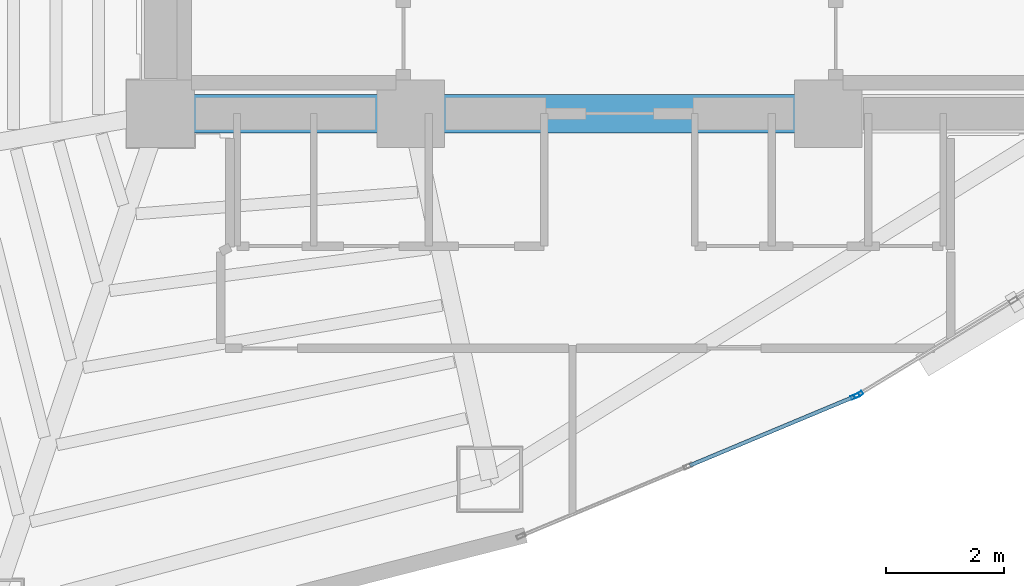
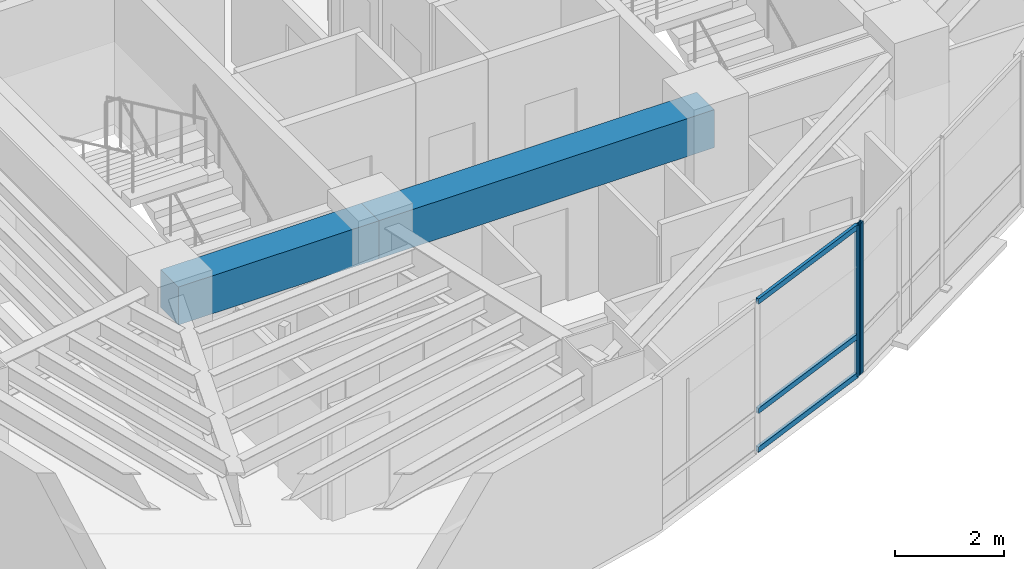
# One storey, part 4 of 15: 5 members, 2 beams, 2 elements without a shape of their own.
"""IFC4 building model written with IfcOpenShell, lengths in metres."""

from ifc_helpers import new_model, si_unit, direction, frame, origin, origin_2d, place, context, subcontext, project, spatial, rectangle, hollow_rectangle, extrude, material, layer, layer_set, material_profile, profile_set, type_object, element, aggregate, save


model = new_model("IFC4")

# Units and contexts
model_context = context("Model", 3, precision=1e-05, world=origin(), true_north=direction((0.0, 1.0)))
body_context = subcontext(model_context, "Body", "Model", "MODEL_VIEW")
ifc_project = project(units=[si_unit("LENGTHUNIT", "METRE"), si_unit("AREAUNIT", "SQUARE_METRE"), si_unit("VOLUMEUNIT", "CUBIC_METRE"), si_unit("PLANEANGLEUNIT", "RADIAN"), si_unit("MASSUNIT", "GRAM", prefix="KILO")], contexts=[model_context])

# Site, building, storey
site_placement = place(None, origin())
site = spatial("IfcSite", under=ifc_project, at=site_placement, CompositionType="ELEMENT")
building_placement = place(site_placement, origin())
building = spatial("IfcBuilding", under=site, at=building_placement, Name="Menara Vayukalpa", CompositionType="ELEMENT")
storey_placement = place(building_placement, frame((0.0, 0.0, 144.89990234375)))
storey = spatial("IfcBuildingStorey", under=building, at=storey_placement, Name="L36", CompositionType="ELEMENT", Elevation=144.89990234375)

# Beams
ifc_material_1 = material(Name="Concrete C60/75", Category="concrete")
ifc_material_profile_1 = material_profile(ifc_material_1, rectangle(XDim=0.64990234375, YDim=0.85009765625, at=origin_2d()), Name="RC 650x850")
ifc_profile_set_1 = profile_set([ifc_material_profile_1], Name="Concrete C60/75")
beam_type = type_object("IfcBeamType", Name="BM-CB1", PredefinedType="BEAM", material=ifc_profile_set_1)
beam_1_placement = place(storey_placement, frame((17.800048828125, 17.199951171875, 2.955078125), z_axis=(1.0, 0.0, 0.0), x_axis=(0.0, 1.0, 0.0)))
element("IfcBeam", 1, at=beam_1_placement, inside=storey, type_object=beam_type, Name="L36 Core Tie Beam CBR1", PredefinedType="BEAM", context=body_context, shape_type="SweptSolid", body=[
    extrude(rectangle(XDim=0.64990234375, YDim=0.85009765625, at=origin_2d()), origin(), (0.0, 0.0, 1.0), 4.25),
])
beam_2_placement = place(storey_placement, frame((22.050048828125, 17.199951171875, 2.955078125), z_axis=(1.0, 0.0, 0.0), x_axis=(0.0, 1.0, 0.0)))
element("IfcBeam", 2, at=beam_2_placement, inside=storey, type_object=beam_type, Name="L36 Core Tie Beam CBR2", PredefinedType="BEAM", context=body_context, shape_type="SweptSolid", body=[
    extrude(rectangle(XDim=0.64990234375, YDim=0.85009765625, at=origin_2d()), origin(), (0.0, 0.0, 1.0), 7.099853515625),
])

# Curtain wall, member
ifc_material_2 = material(Name="Anodised Terracotta Aluminium Alloy 6063-T6", Category="masonry")
ifc_layer = layer(ifc_material_2, 0.14990234375)
ifc_layer_set = layer_set([ifc_layer], Name="Anodised Terracotta Aluminium Alloy 6063-T6")
curtain_wall_type = type_object("IfcCurtainWallType", Name="CW-CW3", PredefinedType="USERDEFINED", material=ifc_layer_set)
curtain_wall_1_placement = place(storey_placement, origin())
curtain_wall_1 = element("IfcCurtainWall", 3, at=curtain_wall_1_placement, inside=storey, type_object=curtain_wall_type, Name="L36 Mid Rise Terracotta Ribbon Curtain Wall CW3 16", ObjectType="UNITISED", PredefinedType="USERDEFINED")
ifc_material_3 = material(Name="Anodised Terracotta Aluminium Alloy 6063-T6", Category="masonry")
ifc_material_profile_2 = material_profile(ifc_material_3, hollow_rectangle(XDim=0.06494140625, YDim=0.14990234375, WallThickness=0.00341796875, at=origin_2d()), Name="ALU 65x150x3.5")
ifc_profile_set_2 = profile_set([ifc_material_profile_2], Name="Anodised Terracotta Aluminium Alloy 6063-T6")
member_type_1 = type_object("IfcMemberType", Name="CWM-CW3", PredefinedType="MULLION", material=ifc_profile_set_2)
member_1_placement = place(storey_placement, frame((29.606689453125, 12.396484375, 0.0), z_axis=(0.0, 0.0, 1.0), x_axis=(-0.385886210456, 0.922546385056, 0.0)))
member_1 = element("IfcMember", 4, at=member_1_placement, type_object=member_type_1, Name="CW3 mullion 3", PredefinedType="MULLION", context=body_context, shape_type="SweptSolid", body=[
    extrude(hollow_rectangle(XDim=0.06494140625, YDim=0.14990234375, WallThickness=0.00341796875, at=origin_2d()), origin(), (0.0, 0.0, 1.0), 3.380126953125),
])

curtain_wall_2_placement = place(storey_placement, origin())
curtain_wall_2 = element("IfcCurtainWall", 5, at=curtain_wall_2_placement, inside=storey, type_object=curtain_wall_type, Name="L36 Mid Rise Terracotta Ribbon Curtain Wall CW3 17", ObjectType="UNITISED", PredefinedType="USERDEFINED")
member_2_placement = place(storey_placement, frame((29.66455078125, 12.42578125, 0.0), z_axis=(0.0, 0.0, 1.0), x_axis=(-0.519195768176, 0.854655342409, 0.0)))
member_2 = element("IfcMember", 6, at=member_2_placement, type_object=member_type_1, Name="CW3 mullion 1", PredefinedType="MULLION", context=body_context, shape_type="SweptSolid", body=[
    extrude(hollow_rectangle(XDim=0.06494140625, YDim=0.14990234375, WallThickness=0.00341796875, at=origin_2d()), origin(), (0.0, 0.0, 1.0), 3.380126953125),
])
aggregate(curtain_wall_2, [member_2])

# Member
ifc_material_4 = material(Name="Anodised Terracotta Aluminium Alloy 6063-T6", Category="masonry")
ifc_material_profile_3 = material_profile(ifc_material_4, hollow_rectangle(XDim=0.06494140625, YDim=0.1201171875, WallThickness=0.00341796875, at=origin_2d()), Name="ALU 65x120x3.5")
ifc_profile_set_3 = profile_set([ifc_material_profile_3], Name="Anodised Terracotta Aluminium Alloy 6063-T6")
member_type_2 = type_object("IfcMemberType", Name="CWT-CW3", PredefinedType="USERDEFINED", material=ifc_profile_set_3)
member_3_placement = place(storey_placement, frame((26.79638671875, 11.220947265625, 0.03271484375), z_axis=(0.922529540739, 0.385926478054, 0.0), x_axis=(-0.385926478054, 0.922529540739, 0.0)))
member_3 = element("IfcMember", 7, at=member_3_placement, type_object=member_type_2, Name="CW3 transom 2.1", ObjectType="TRANSOM", PredefinedType="USERDEFINED", context=body_context, shape_type="SweptSolid", body=[
    extrude(hollow_rectangle(XDim=0.06494140625, YDim=0.1201171875, WallThickness=0.00341796875, at=origin_2d()), origin(), (0.0, 0.0, 1.0), 3.013671875),
])

member_4_placement = place(storey_placement, frame((26.79638671875, 11.220947265625, 0.900146484375), z_axis=(0.922529540739, 0.385926478054, 0.0), x_axis=(-0.385926478054, 0.922529540739, 0.0)))
member_4 = element("IfcMember", 8, at=member_4_placement, type_object=member_type_2, Name="CW3 transom 2.2", ObjectType="TRANSOM", PredefinedType="USERDEFINED", context=body_context, shape_type="SweptSolid", body=[
    extrude(hollow_rectangle(XDim=0.06494140625, YDim=0.1201171875, WallThickness=0.00341796875, at=origin_2d()), origin(), (0.0, 0.0, 1.0), 3.013671875),
])

member_5_placement = place(storey_placement, frame((26.79638671875, 11.220947265625, 3.34765625), z_axis=(0.922529540739, 0.385926478054, 0.0), x_axis=(-0.385926478054, 0.922529540739, 0.0)))
member_5 = element("IfcMember", 9, at=member_5_placement, type_object=member_type_2, Name="CW3 transom 2.3", ObjectType="TRANSOM", PredefinedType="USERDEFINED", context=body_context, shape_type="SweptSolid", body=[
    extrude(hollow_rectangle(XDim=0.06494140625, YDim=0.1201171875, WallThickness=0.00341796875, at=origin_2d()), origin(), (0.0, 0.0, 1.0), 3.013671875),
])

aggregate(curtain_wall_1, [member_1, member_3, member_4, member_5])

save(model, "model.ifc")
